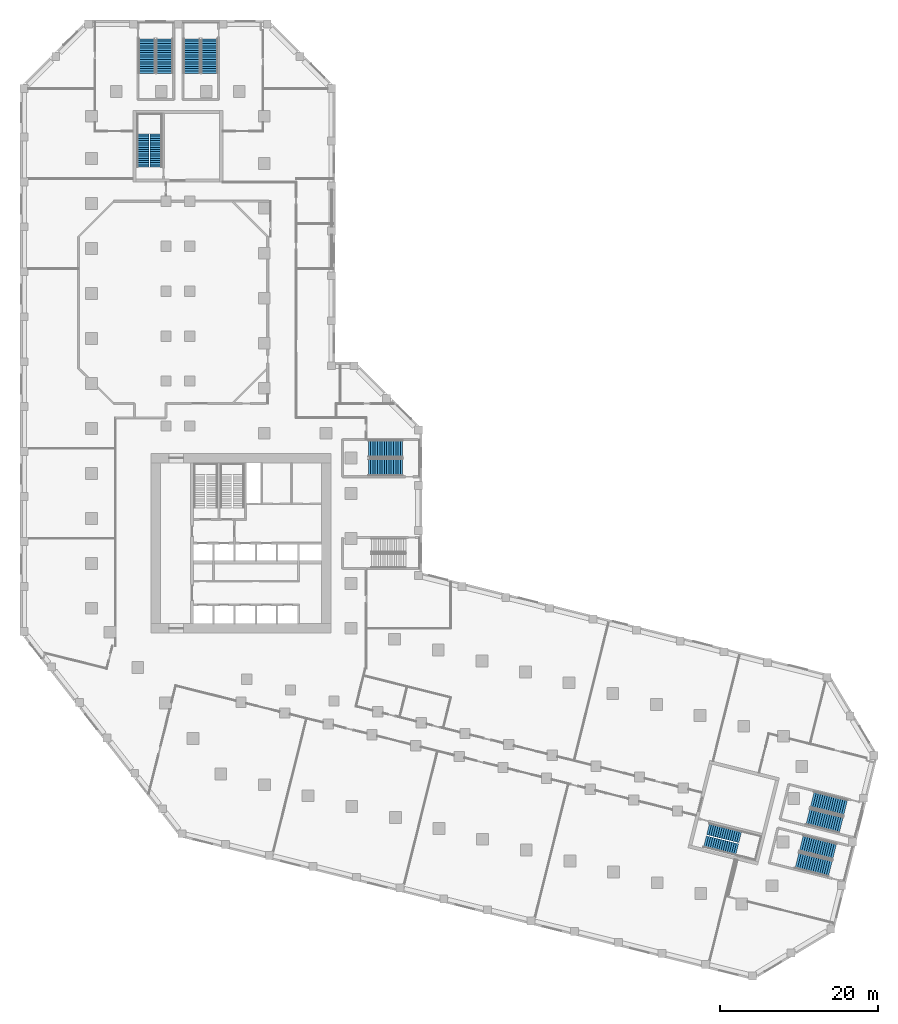
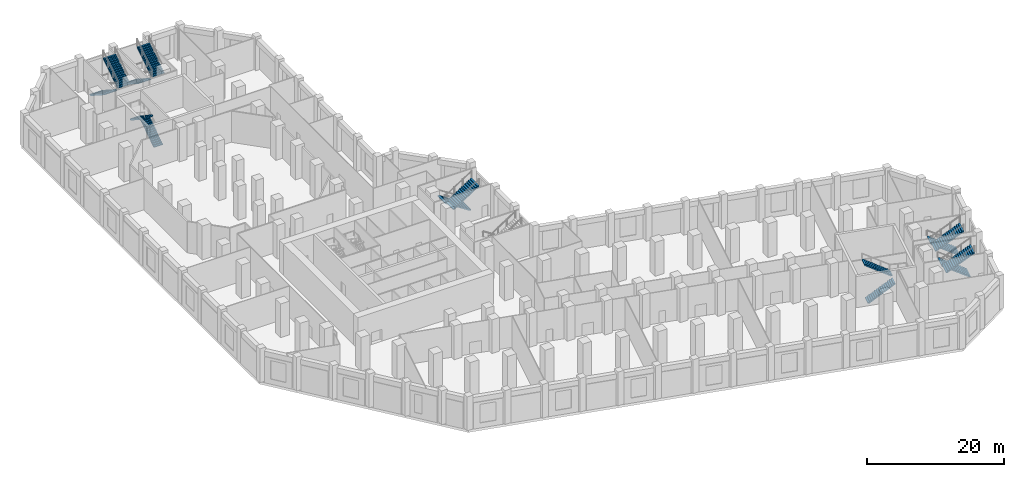
# One storey, part 11 of 15: 14 stair flights, 7 elements without a shape of their own.
"""IFC4 building model written with IfcOpenShell, lengths in metres."""

from ifc_helpers import new_model, si_unit, direction, frame, origin, place, context, subcontext, project, spatial, polyline, outline, extrude, material, type_object, element, aggregate, save


model = new_model("IFC4")

# Units and contexts
model_context = context("Model", 3, precision=1e-05, world=origin(), true_north=direction((0.0, 1.0)))
body_context = subcontext(model_context, "Body", "Model", "MODEL_VIEW")
ifc_project = project(units=[si_unit("LENGTHUNIT", "METRE"), si_unit("AREAUNIT", "SQUARE_METRE"), si_unit("VOLUMEUNIT", "CUBIC_METRE"), si_unit("PLANEANGLEUNIT", "RADIAN"), si_unit("MASSUNIT", "GRAM", prefix="KILO")], contexts=[model_context])

# Site, building, storey
site_placement = place(None, origin())
site = spatial("IfcSite", under=ifc_project, at=site_placement, CompositionType="ELEMENT")
building_placement = place(site_placement, origin())
building = spatial("IfcBuilding", under=site, at=building_placement, Name="Meshkara Civic Tower", CompositionType="ELEMENT")
storey_placement = place(building_placement, frame((0.0, 0.0, 12.60009765625)))
storey = spatial("IfcBuildingStorey", under=building, at=storey_placement, Name="L02", CompositionType="ELEMENT", Elevation=12.60009765625)

# Stair, stair flights
ifc_material_1 = material(Name="Precast concrete C40/50", Category="concrete")
stair_type_1 = type_object("IfcStairType", Name="Exit stair half-turn 32 risers 1500 precast", PredefinedType="HALF_TURN_STAIR", material=ifc_material_1)
stair_1_placement = place(storey_placement, origin())
stair_1 = element("IfcStair", 1, at=stair_1_placement, inside=storey, type_object=stair_type_1, Name="L02 exit stair A from B2", PredefinedType="HALF_TURN_STAIR")
ifc_material_2 = material(Name="Precast concrete C40/50", Category="concrete")
stair_flight_type_1 = type_object("IfcStairFlightType", Name="Exit stair flight 16 risers 1500 precast", PredefinedType="STRAIGHT", material=ifc_material_2)
stair_flight_1_placement = place(storey_placement, frame((8.625, 73.169921875, 0.0), z_axis=(0.0, 0.0, 1.0), x_axis=(0.0, 1.0, 0.0)))
stair_flight_1 = element("IfcStairFlight", 2, at=stair_flight_1_placement, type_object=stair_flight_type_1, Name="ESA1 flight 1", NumberOfRisers=16, NumberOfTreads=15, PredefinedType="STRAIGHT", RiserHeight=0.1875, TreadLength=0.28, context=body_context, shape_type="SweptSolid", body=[
    extrude(outline(polyline([(0.0, 0.0), (0.0, 0.1875), (0.280029296875, 0.1875), (0.280029296875, 0.375), (0.56005859375, 0.375), (0.56005859375, 0.5625), (0.840087890625, 0.5625), (0.840087890625, 0.75), (1.1201171875, 0.75), (1.1201171875, 0.9375), (1.39990234375, 0.9375), (1.39990234375, 1.125), (1.679931640625, 1.125), (1.679931640625, 1.3125), (1.9599609375, 1.3125), (1.9599609375, 1.5), (2.239990234375, 1.5), (2.239990234375, 1.6875), (2.52001953125, 1.6875), (2.52001953125, 1.875), (2.800048828125, 1.875), (2.800048828125, 2.0625), (3.080078125, 2.0625), (3.080078125, 2.25), (3.360107421875, 2.25), (3.360107421875, 2.4375), (3.639892578125, 2.4375), (3.639892578125, 2.625), (3.919921875, 2.625), (3.919921875, 2.8125), (4.199951171875, 2.8125), (4.199951171875, 3.0), (4.199951171875, 2.632080078125), (0.26953125, 0.0), (0.0, 0.0)])), frame((0.0, 0.75, 0.0), z_axis=(0.0, -1.0, 0.0), x_axis=(1.0, 0.0, 0.0)), (0.0, 0.0, 1.0), 1.5),
])
stair_flight_2_placement = place(storey_placement, frame((6.97509765625, 77.3701171875, 3.0), z_axis=(0.0, 0.0, 1.0), x_axis=(0.0, -1.0, 0.0)))
stair_flight_2 = element("IfcStairFlight", 3, at=stair_flight_2_placement, type_object=stair_flight_type_1, Name="ESA1 flight 2", NumberOfRisers=16, NumberOfTreads=15, PredefinedType="STRAIGHT", RiserHeight=0.1875, TreadLength=0.28, context=body_context, shape_type="SweptSolid", body=[
    extrude(outline(polyline([(0.0, 0.0), (0.0, 0.1875), (0.280029296875, 0.1875), (0.280029296875, 0.375), (0.56005859375, 0.375), (0.56005859375, 0.5625), (0.840087890625, 0.5625), (0.840087890625, 0.75), (1.1201171875, 0.75), (1.1201171875, 0.9375), (1.39990234375, 0.9375), (1.39990234375, 1.125), (1.679931640625, 1.125), (1.679931640625, 1.3125), (1.9599609375, 1.3125), (1.9599609375, 1.5), (2.239990234375, 1.5), (2.239990234375, 1.6875), (2.52001953125, 1.6875), (2.52001953125, 1.875), (2.800048828125, 1.875), (2.800048828125, 2.0625), (3.080078125, 2.0625), (3.080078125, 2.25), (3.360107421875, 2.25), (3.360107421875, 2.4375), (3.639892578125, 2.4375), (3.639892578125, 2.625), (3.919921875, 2.625), (3.919921875, 2.8125), (4.199951171875, 2.8125), (4.199951171875, 3.0), (4.199951171875, 2.632080078125), (0.26953125, 0.0), (0.0, 0.0)])), frame((0.0, 0.75, 0.0), z_axis=(0.0, -1.0, 0.0), x_axis=(1.0, 0.0, 0.0)), (0.0, 0.0, 1.0), 1.5),
])
aggregate(stair_1, [stair_flight_1, stair_flight_2])

stair_2_placement = place(storey_placement, origin())
stair_2 = element("IfcStair", 4, at=stair_2_placement, inside=storey, type_object=stair_type_1, Name="L02 exit stair B from B2", PredefinedType="HALF_TURN_STAIR")
stair_flight_3_placement = place(storey_placement, frame((78.214599609375, -12.3125, 0.0), z_axis=(0.0, 0.0, 1.0), x_axis=(0.970260066579, -0.242064873955, 0.0)))
stair_flight_3 = element("IfcStairFlight", 5, at=stair_flight_3_placement, type_object=stair_flight_type_1, Name="ESB1 flight 1", NumberOfRisers=16, NumberOfTreads=15, PredefinedType="STRAIGHT", RiserHeight=0.1875, TreadLength=0.28, context=body_context, shape_type="SweptSolid", body=[
    extrude(outline(polyline([(0.0, 0.0), (0.0, 0.1875), (0.280029296875, 0.1875), (0.280029296875, 0.375), (0.56005859375, 0.375), (0.56005859375, 0.5625), (0.840087890625, 0.5625), (0.840087890625, 0.75), (1.1201171875, 0.75), (1.1201171875, 0.9375), (1.39990234375, 0.9375), (1.39990234375, 1.125), (1.679931640625, 1.125), (1.679931640625, 1.3125), (1.9599609375, 1.3125), (1.9599609375, 1.5), (2.239990234375, 1.5), (2.239990234375, 1.6875), (2.52001953125, 1.6875), (2.52001953125, 1.875), (2.800048828125, 1.875), (2.800048828125, 2.0625), (3.080078125, 2.0625), (3.080078125, 2.25), (3.360107421875, 2.25), (3.360107421875, 2.4375), (3.639892578125, 2.4375), (3.639892578125, 2.625), (3.919921875, 2.625), (3.919921875, 2.8125), (4.199951171875, 2.8125), (4.199951171875, 3.0), (4.199951171875, 2.632080078125), (0.26953125, 0.0), (0.0, 0.0)])), frame((0.0, 0.75, 0.0), z_axis=(0.0, -1.0, 0.0), x_axis=(1.0, 0.0, 0.0)), (0.0, 0.0, 1.0), 1.5),
])
stair_flight_4_placement = place(storey_placement, frame((82.689208984375, -11.728271484375, 3.0), z_axis=(0.0, 0.0, 1.0), x_axis=(-0.970260066579, 0.242064873955, 0.0)))
stair_flight_4 = element("IfcStairFlight", 6, at=stair_flight_4_placement, type_object=stair_flight_type_1, Name="ESB1 flight 2", NumberOfRisers=16, NumberOfTreads=15, PredefinedType="STRAIGHT", RiserHeight=0.1875, TreadLength=0.28, context=body_context, shape_type="SweptSolid", body=[
    extrude(outline(polyline([(0.0, 0.0), (0.0, 0.1875), (0.280029296875, 0.1875), (0.280029296875, 0.375), (0.56005859375, 0.375), (0.56005859375, 0.5625), (0.840087890625, 0.5625), (0.840087890625, 0.75), (1.1201171875, 0.75), (1.1201171875, 0.9375), (1.39990234375, 0.9375), (1.39990234375, 1.125), (1.679931640625, 1.125), (1.679931640625, 1.3125), (1.9599609375, 1.3125), (1.9599609375, 1.5), (2.239990234375, 1.5), (2.239990234375, 1.6875), (2.52001953125, 1.6875), (2.52001953125, 1.875), (2.800048828125, 1.875), (2.800048828125, 2.0625), (3.080078125, 2.0625), (3.080078125, 2.25), (3.360107421875, 2.25), (3.360107421875, 2.4375), (3.639892578125, 2.4375), (3.639892578125, 2.625), (3.919921875, 2.625), (3.919921875, 2.8125), (4.199951171875, 2.8125), (4.199951171875, 3.0), (4.199951171875, 2.632080078125), (0.26953125, 0.0), (0.0, 0.0)])), frame((0.0, 0.75, 0.0), z_axis=(0.0, -1.0, 0.0), x_axis=(1.0, 0.0, 0.0)), (0.0, 0.0, 1.0), 1.5),
])
aggregate(stair_2, [stair_flight_3, stair_flight_4])

ifc_material_3 = material(Name="Precast concrete C40/50", Category="concrete")
stair_type_2 = type_object("IfcStairType", Name="Podium exit stair half-turn 32 risers 2100 wide precast", PredefinedType="HALF_TURN_STAIR", material=ifc_material_3)
stair_3_placement = place(storey_placement, origin())
stair_3 = element("IfcStair", 7, at=stair_3_placement, inside=storey, type_object=stair_type_2, Name="L02 podium exit stair PS1", PredefinedType="HALF_TURN_STAIR")
ifc_material_4 = material(Name="Precast concrete C40/50", Category="concrete")
stair_flight_type_2 = type_object("IfcStairFlightType", Name="Podium exit stair flight 16 risers 2100 wide precast", PredefinedType="STRAIGHT", material=ifc_material_4)
stair_flight_5_placement = place(storey_placement, frame((7.485107421875, 89.419921875, 0.0), z_axis=(0.0, 0.0, 1.0), x_axis=(0.0, -1.0, 0.0)))
stair_flight_5 = element("IfcStairFlight", 8, at=stair_flight_5_placement, type_object=stair_flight_type_2, Name="PS1 flight 1", NumberOfRisers=16, NumberOfTreads=15, PredefinedType="STRAIGHT", RiserHeight=0.1875, TreadLength=0.29, context=body_context, shape_type="SweptSolid", body=[
    extrude(outline(polyline([(0.0, 0.0), (0.0, 0.1875), (0.2900390625, 0.1875), (0.2900390625, 0.375), (0.580078125, 0.375), (0.580078125, 0.5625), (0.8701171875, 0.5625), (0.8701171875, 0.75), (1.159912109375, 0.75), (1.159912109375, 0.9375), (1.449951171875, 0.9375), (1.449951171875, 1.125), (1.739990234375, 1.125), (1.739990234375, 1.3125), (2.030029296875, 1.3125), (2.030029296875, 1.5), (2.320068359375, 1.5), (2.320068359375, 1.6875), (2.610107421875, 1.6875), (2.610107421875, 1.875), (2.89990234375, 1.875), (2.89990234375, 2.0625), (3.18994140625, 2.0625), (3.18994140625, 2.25), (3.47998046875, 2.25), (3.47998046875, 2.4375), (3.77001953125, 2.4375), (3.77001953125, 2.625), (4.06005859375, 2.625), (4.06005859375, 2.8125), (4.35009765625, 2.8125), (4.35009765625, 3.0), (4.35009765625, 2.634033203125), (0.276123046875, 0.0), (0.0, 0.0)])), frame((0.0, 1.050048828125, 0.0), z_axis=(0.0, -1.0, 0.0), x_axis=(1.0, 0.0, 0.0)), (0.0, 0.0, 1.0), 2.10009765625),
])
stair_flight_6_placement = place(storey_placement, frame((9.735107421875, 85.070068359375, 3.0), z_axis=(0.0, 0.0, 1.0), x_axis=(0.0, 1.0, 0.0)))
stair_flight_6 = element("IfcStairFlight", 9, at=stair_flight_6_placement, type_object=stair_flight_type_2, Name="PS1 flight 2", NumberOfRisers=16, NumberOfTreads=15, PredefinedType="STRAIGHT", RiserHeight=0.1875, TreadLength=0.29, context=body_context, shape_type="SweptSolid", body=[
    extrude(outline(polyline([(0.0, 0.0), (0.0, 0.1875), (0.2900390625, 0.1875), (0.2900390625, 0.375), (0.580078125, 0.375), (0.580078125, 0.5625), (0.8701171875, 0.5625), (0.8701171875, 0.75), (1.159912109375, 0.75), (1.159912109375, 0.9375), (1.449951171875, 0.9375), (1.449951171875, 1.125), (1.739990234375, 1.125), (1.739990234375, 1.3125), (2.030029296875, 1.3125), (2.030029296875, 1.5), (2.320068359375, 1.5), (2.320068359375, 1.6875), (2.610107421875, 1.6875), (2.610107421875, 1.875), (2.89990234375, 1.875), (2.89990234375, 2.0625), (3.18994140625, 2.0625), (3.18994140625, 2.25), (3.47998046875, 2.25), (3.47998046875, 2.4375), (3.77001953125, 2.4375), (3.77001953125, 2.625), (4.06005859375, 2.625), (4.06005859375, 2.8125), (4.35009765625, 2.8125), (4.35009765625, 3.0), (4.35009765625, 2.634033203125), (0.276123046875, 0.0), (0.0, 0.0)])), frame((0.0, 1.050048828125, 0.0), z_axis=(0.0, -1.0, 0.0), x_axis=(1.0, 0.0, 0.0)), (0.0, 0.0, 1.0), 2.10009765625),
])
aggregate(stair_3, [stair_flight_5, stair_flight_6])

stair_4_placement = place(storey_placement, origin())
stair_4 = element("IfcStair", 10, at=stair_4_placement, inside=storey, type_object=stair_type_2, Name="L02 podium exit stair PS2", PredefinedType="HALF_TURN_STAIR")
stair_flight_7_placement = place(storey_placement, frame((13.18505859375, 89.419921875, 0.0), z_axis=(0.0, 0.0, 1.0), x_axis=(0.0, -1.0, 0.0)))
stair_flight_7 = element("IfcStairFlight", 11, at=stair_flight_7_placement, type_object=stair_flight_type_2, Name="PS2 flight 1", NumberOfRisers=16, NumberOfTreads=15, PredefinedType="STRAIGHT", RiserHeight=0.1875, TreadLength=0.29, context=body_context, shape_type="SweptSolid", body=[
    extrude(outline(polyline([(0.0, 0.0), (0.0, 0.1875), (0.2900390625, 0.1875), (0.2900390625, 0.375), (0.580078125, 0.375), (0.580078125, 0.5625), (0.8701171875, 0.5625), (0.8701171875, 0.75), (1.159912109375, 0.75), (1.159912109375, 0.9375), (1.449951171875, 0.9375), (1.449951171875, 1.125), (1.739990234375, 1.125), (1.739990234375, 1.3125), (2.030029296875, 1.3125), (2.030029296875, 1.5), (2.320068359375, 1.5), (2.320068359375, 1.6875), (2.610107421875, 1.6875), (2.610107421875, 1.875), (2.89990234375, 1.875), (2.89990234375, 2.0625), (3.18994140625, 2.0625), (3.18994140625, 2.25), (3.47998046875, 2.25), (3.47998046875, 2.4375), (3.77001953125, 2.4375), (3.77001953125, 2.625), (4.06005859375, 2.625), (4.06005859375, 2.8125), (4.35009765625, 2.8125), (4.35009765625, 3.0), (4.35009765625, 2.634033203125), (0.276123046875, 0.0), (0.0, 0.0)])), frame((0.0, 1.050048828125, 0.0), z_axis=(0.0, -1.0, 0.0), x_axis=(1.0, 0.0, 0.0)), (0.0, 0.0, 1.0), 2.10009765625),
])
stair_flight_8_placement = place(storey_placement, frame((15.43505859375, 85.070068359375, 3.0), z_axis=(0.0, 0.0, 1.0), x_axis=(0.0, 1.0, 0.0)))
stair_flight_8 = element("IfcStairFlight", 12, at=stair_flight_8_placement, type_object=stair_flight_type_2, Name="PS2 flight 2", NumberOfRisers=16, NumberOfTreads=15, PredefinedType="STRAIGHT", RiserHeight=0.1875, TreadLength=0.29, context=body_context, shape_type="SweptSolid", body=[
    extrude(outline(polyline([(0.0, 0.0), (0.0, 0.1875), (0.2900390625, 0.1875), (0.2900390625, 0.375), (0.580078125, 0.375), (0.580078125, 0.5625), (0.8701171875, 0.5625), (0.8701171875, 0.75), (1.159912109375, 0.75), (1.159912109375, 0.9375), (1.449951171875, 0.9375), (1.449951171875, 1.125), (1.739990234375, 1.125), (1.739990234375, 1.3125), (2.030029296875, 1.3125), (2.030029296875, 1.5), (2.320068359375, 1.5), (2.320068359375, 1.6875), (2.610107421875, 1.6875), (2.610107421875, 1.875), (2.89990234375, 1.875), (2.89990234375, 2.0625), (3.18994140625, 2.0625), (3.18994140625, 2.25), (3.47998046875, 2.25), (3.47998046875, 2.4375), (3.77001953125, 2.4375), (3.77001953125, 2.625), (4.06005859375, 2.625), (4.06005859375, 2.8125), (4.35009765625, 2.8125), (4.35009765625, 3.0), (4.35009765625, 2.634033203125), (0.276123046875, 0.0), (0.0, 0.0)])), frame((0.0, 1.050048828125, 0.0), z_axis=(0.0, -1.0, 0.0), x_axis=(1.0, 0.0, 0.0)), (0.0, 0.0, 1.0), 2.10009765625),
])
aggregate(stair_4, [stair_flight_7, stair_flight_8])

stair_5_placement = place(storey_placement, origin())
stair_5 = element("IfcStair", 13, at=stair_5_placement, inside=storey, type_object=stair_type_2, Name="L02 podium exit stair PS3", PredefinedType="HALF_TURN_STAIR")
stair_flight_9_placement = place(storey_placement, frame((94.6494140625, -13.565673828125, 0.0), z_axis=(0.0, 0.0, 1.0), x_axis=(-0.970295726276, 0.2419218956, 0.0)))
stair_flight_9 = element("IfcStairFlight", 14, at=stair_flight_9_placement, type_object=stair_flight_type_2, Name="PS3 flight 1", NumberOfRisers=16, NumberOfTreads=15, PredefinedType="STRAIGHT", RiserHeight=0.1875, TreadLength=0.29, context=body_context, shape_type="SweptSolid", body=[
    extrude(outline(polyline([(0.0, 0.0), (0.0, 0.1875), (0.2900390625, 0.1875), (0.2900390625, 0.375), (0.580078125, 0.375), (0.580078125, 0.5625), (0.8701171875, 0.5625), (0.8701171875, 0.75), (1.159912109375, 0.75), (1.159912109375, 0.9375), (1.449951171875, 0.9375), (1.449951171875, 1.125), (1.739990234375, 1.125), (1.739990234375, 1.3125), (2.030029296875, 1.3125), (2.030029296875, 1.5), (2.320068359375, 1.5), (2.320068359375, 1.6875), (2.610107421875, 1.6875), (2.610107421875, 1.875), (2.89990234375, 1.875), (2.89990234375, 2.0625), (3.18994140625, 2.0625), (3.18994140625, 2.25), (3.47998046875, 2.25), (3.47998046875, 2.4375), (3.77001953125, 2.4375), (3.77001953125, 2.625), (4.06005859375, 2.625), (4.06005859375, 2.8125), (4.35009765625, 2.8125), (4.35009765625, 3.0), (4.35009765625, 2.634033203125), (0.276123046875, 0.0), (0.0, 0.0)])), frame((0.0, 1.050048828125, 0.0), z_axis=(0.0, -1.0, 0.0), x_axis=(1.0, 0.0, 0.0)), (0.0, 0.0, 1.0), 2.10009765625),
])
stair_flight_10_placement = place(storey_placement, frame((89.88427734375, -14.696533203125, 3.0), z_axis=(0.0, 0.0, 1.0), x_axis=(0.970295726276, -0.2419218956, 0.0)))
stair_flight_10 = element("IfcStairFlight", 15, at=stair_flight_10_placement, type_object=stair_flight_type_2, Name="PS3 flight 2", NumberOfRisers=16, NumberOfTreads=15, PredefinedType="STRAIGHT", RiserHeight=0.1875, TreadLength=0.29, context=body_context, shape_type="SweptSolid", body=[
    extrude(outline(polyline([(0.0, 0.0), (0.0, 0.1875), (0.2900390625, 0.1875), (0.2900390625, 0.375), (0.580078125, 0.375), (0.580078125, 0.5625), (0.8701171875, 0.5625), (0.8701171875, 0.75), (1.159912109375, 0.75), (1.159912109375, 0.9375), (1.449951171875, 0.9375), (1.449951171875, 1.125), (1.739990234375, 1.125), (1.739990234375, 1.3125), (2.030029296875, 1.3125), (2.030029296875, 1.5), (2.320068359375, 1.5), (2.320068359375, 1.6875), (2.610107421875, 1.6875), (2.610107421875, 1.875), (2.89990234375, 1.875), (2.89990234375, 2.0625), (3.18994140625, 2.0625), (3.18994140625, 2.25), (3.47998046875, 2.25), (3.47998046875, 2.4375), (3.77001953125, 2.4375), (3.77001953125, 2.625), (4.06005859375, 2.625), (4.06005859375, 2.8125), (4.35009765625, 2.8125), (4.35009765625, 3.0), (4.35009765625, 2.634033203125), (0.276123046875, 0.0), (0.0, 0.0)])), frame((0.0, 1.050048828125, 0.0), z_axis=(0.0, -1.0, 0.0), x_axis=(1.0, 0.0, 0.0)), (0.0, 0.0, 1.0), 2.10009765625),
])
aggregate(stair_5, [stair_flight_9, stair_flight_10])

stair_6_placement = place(storey_placement, origin())
stair_6 = element("IfcStair", 16, at=stair_6_placement, inside=storey, type_object=stair_type_2, Name="L02 podium exit stair PS4", PredefinedType="HALF_TURN_STAIR")
stair_flight_11_placement = place(storey_placement, frame((96.0283203125, -8.03466796875, 0.0), z_axis=(0.0, 0.0, 1.0), x_axis=(-0.970295726276, 0.2419218956, 0.0)))
stair_flight_11 = element("IfcStairFlight", 17, at=stair_flight_11_placement, type_object=stair_flight_type_2, Name="PS4 flight 1", NumberOfRisers=16, NumberOfTreads=15, PredefinedType="STRAIGHT", RiserHeight=0.1875, TreadLength=0.29, context=body_context, shape_type="SweptSolid", body=[
    extrude(outline(polyline([(0.0, 0.0), (0.0, 0.1875), (0.2900390625, 0.1875), (0.2900390625, 0.375), (0.580078125, 0.375), (0.580078125, 0.5625), (0.8701171875, 0.5625), (0.8701171875, 0.75), (1.159912109375, 0.75), (1.159912109375, 0.9375), (1.449951171875, 0.9375), (1.449951171875, 1.125), (1.739990234375, 1.125), (1.739990234375, 1.3125), (2.030029296875, 1.3125), (2.030029296875, 1.5), (2.320068359375, 1.5), (2.320068359375, 1.6875), (2.610107421875, 1.6875), (2.610107421875, 1.875), (2.89990234375, 1.875), (2.89990234375, 2.0625), (3.18994140625, 2.0625), (3.18994140625, 2.25), (3.47998046875, 2.25), (3.47998046875, 2.4375), (3.77001953125, 2.4375), (3.77001953125, 2.625), (4.06005859375, 2.625), (4.06005859375, 2.8125), (4.35009765625, 2.8125), (4.35009765625, 3.0), (4.35009765625, 2.634033203125), (0.276123046875, 0.0), (0.0, 0.0)])), frame((0.0, 1.050048828125, 0.0), z_axis=(0.0, -1.0, 0.0), x_axis=(1.0, 0.0, 0.0)), (0.0, 0.0, 1.0), 2.10009765625),
])
stair_flight_12_placement = place(storey_placement, frame((91.26318359375, -9.16552734375, 3.0), z_axis=(0.0, 0.0, 1.0), x_axis=(0.970295726276, -0.2419218956, 0.0)))
stair_flight_12 = element("IfcStairFlight", 18, at=stair_flight_12_placement, type_object=stair_flight_type_2, Name="PS4 flight 2", NumberOfRisers=16, NumberOfTreads=15, PredefinedType="STRAIGHT", RiserHeight=0.1875, TreadLength=0.29, context=body_context, shape_type="SweptSolid", body=[
    extrude(outline(polyline([(0.0, 0.0), (0.0, 0.1875), (0.2900390625, 0.1875), (0.2900390625, 0.375), (0.580078125, 0.375), (0.580078125, 0.5625), (0.8701171875, 0.5625), (0.8701171875, 0.75), (1.159912109375, 0.75), (1.159912109375, 0.9375), (1.449951171875, 0.9375), (1.449951171875, 1.125), (1.739990234375, 1.125), (1.739990234375, 1.3125), (2.030029296875, 1.3125), (2.030029296875, 1.5), (2.320068359375, 1.5), (2.320068359375, 1.6875), (2.610107421875, 1.6875), (2.610107421875, 1.875), (2.89990234375, 1.875), (2.89990234375, 2.0625), (3.18994140625, 2.0625), (3.18994140625, 2.25), (3.47998046875, 2.25), (3.47998046875, 2.4375), (3.77001953125, 2.4375), (3.77001953125, 2.625), (4.06005859375, 2.625), (4.06005859375, 2.8125), (4.35009765625, 2.8125), (4.35009765625, 3.0), (4.35009765625, 2.634033203125), (0.276123046875, 0.0), (0.0, 0.0)])), frame((0.0, 1.050048828125, 0.0), z_axis=(0.0, -1.0, 0.0), x_axis=(1.0, 0.0, 0.0)), (0.0, 0.0, 1.0), 2.10009765625),
])
aggregate(stair_6, [stair_flight_11, stair_flight_12])

ifc_material_5 = material(Name="Precast concrete C40/50", Category="concrete")
stair_type_3 = type_object("IfcStairType", Name="Podium exit stair half-turn 32 risers 2200 wide precast", PredefinedType="HALF_TURN_STAIR", material=ifc_material_5)
stair_7_placement = place(storey_placement, origin())
stair_7 = element("IfcStair", 19, at=stair_7_placement, inside=storey, type_object=stair_type_3, Name="L02 podium exit stair PS6", PredefinedType="HALF_TURN_STAIR")
ifc_material_6 = material(Name="Precast concrete C40/50", Category="concrete")
stair_flight_type_3 = type_object("IfcStairFlightType", Name="Podium exit stair flight 16 risers 2200 wide precast", PredefinedType="STRAIGHT", material=ifc_material_6)
stair_flight_13_placement = place(storey_placement, frame((39.89990234375, 37.47509765625, 0.0), z_axis=(0.0, 0.0, 1.0), x_axis=(-1.0, 0.0, 0.0)))
stair_flight_13 = element("IfcStairFlight", 20, at=stair_flight_13_placement, type_object=stair_flight_type_3, Name="PS6 flight 1", NumberOfRisers=16, NumberOfTreads=15, PredefinedType="STRAIGHT", RiserHeight=0.1875, TreadLength=0.29, context=body_context, shape_type="SweptSolid", body=[
    extrude(outline(polyline([(0.0, 0.0), (0.0, 0.1875), (0.2900390625, 0.1875), (0.2900390625, 0.375), (0.580078125, 0.375), (0.580078125, 0.5625), (0.8701171875, 0.5625), (0.8701171875, 0.75), (1.159912109375, 0.75), (1.159912109375, 0.9375), (1.449951171875, 0.9375), (1.449951171875, 1.125), (1.739990234375, 1.125), (1.739990234375, 1.3125), (2.030029296875, 1.3125), (2.030029296875, 1.5), (2.320068359375, 1.5), (2.320068359375, 1.6875), (2.610107421875, 1.6875), (2.610107421875, 1.875), (2.89990234375, 1.875), (2.89990234375, 2.0625), (3.18994140625, 2.0625), (3.18994140625, 2.25), (3.47998046875, 2.25), (3.47998046875, 2.4375), (3.77001953125, 2.4375), (3.77001953125, 2.625), (4.06005859375, 2.625), (4.06005859375, 2.8125), (4.35009765625, 2.8125), (4.35009765625, 3.0), (4.35009765625, 2.634033203125), (0.276123046875, 0.0), (0.0, 0.0)])), frame((0.0, 1.10009765625, 0.0), z_axis=(0.0, -1.0, 0.0), x_axis=(1.0, 0.0, 0.0)), (0.0, 0.0, 1.0), 2.199951171875),
])
stair_flight_14_placement = place(storey_placement, frame((35.550048828125, 35.125, 3.0), z_axis=(0.0, 0.0, 1.0), x_axis=(1.0, 0.0, 0.0)))
stair_flight_14 = element("IfcStairFlight", 21, at=stair_flight_14_placement, type_object=stair_flight_type_3, Name="PS6 flight 2", NumberOfRisers=16, NumberOfTreads=15, PredefinedType="STRAIGHT", RiserHeight=0.1875, TreadLength=0.29, context=body_context, shape_type="SweptSolid", body=[
    extrude(outline(polyline([(0.0, 0.0), (0.0, 0.1875), (0.2900390625, 0.1875), (0.2900390625, 0.375), (0.580078125, 0.375), (0.580078125, 0.5625), (0.8701171875, 0.5625), (0.8701171875, 0.75), (1.159912109375, 0.75), (1.159912109375, 0.9375), (1.449951171875, 0.9375), (1.449951171875, 1.125), (1.739990234375, 1.125), (1.739990234375, 1.3125), (2.030029296875, 1.3125), (2.030029296875, 1.5), (2.320068359375, 1.5), (2.320068359375, 1.6875), (2.610107421875, 1.6875), (2.610107421875, 1.875), (2.89990234375, 1.875), (2.89990234375, 2.0625), (3.18994140625, 2.0625), (3.18994140625, 2.25), (3.47998046875, 2.25), (3.47998046875, 2.4375), (3.77001953125, 2.4375), (3.77001953125, 2.625), (4.06005859375, 2.625), (4.06005859375, 2.8125), (4.35009765625, 2.8125), (4.35009765625, 3.0), (4.35009765625, 2.634033203125), (0.276123046875, 0.0), (0.0, 0.0)])), frame((0.0, 1.10009765625, 0.0), z_axis=(0.0, -1.0, 0.0), x_axis=(1.0, 0.0, 0.0)), (0.0, 0.0, 1.0), 2.199951171875),
])
aggregate(stair_7, [stair_flight_13, stair_flight_14])

save(model, "model.ifc")
